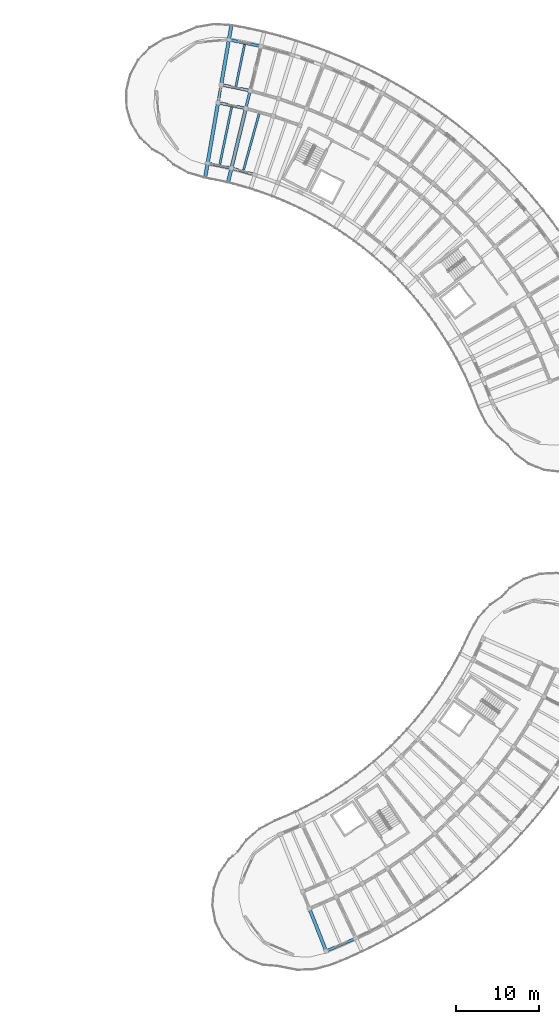
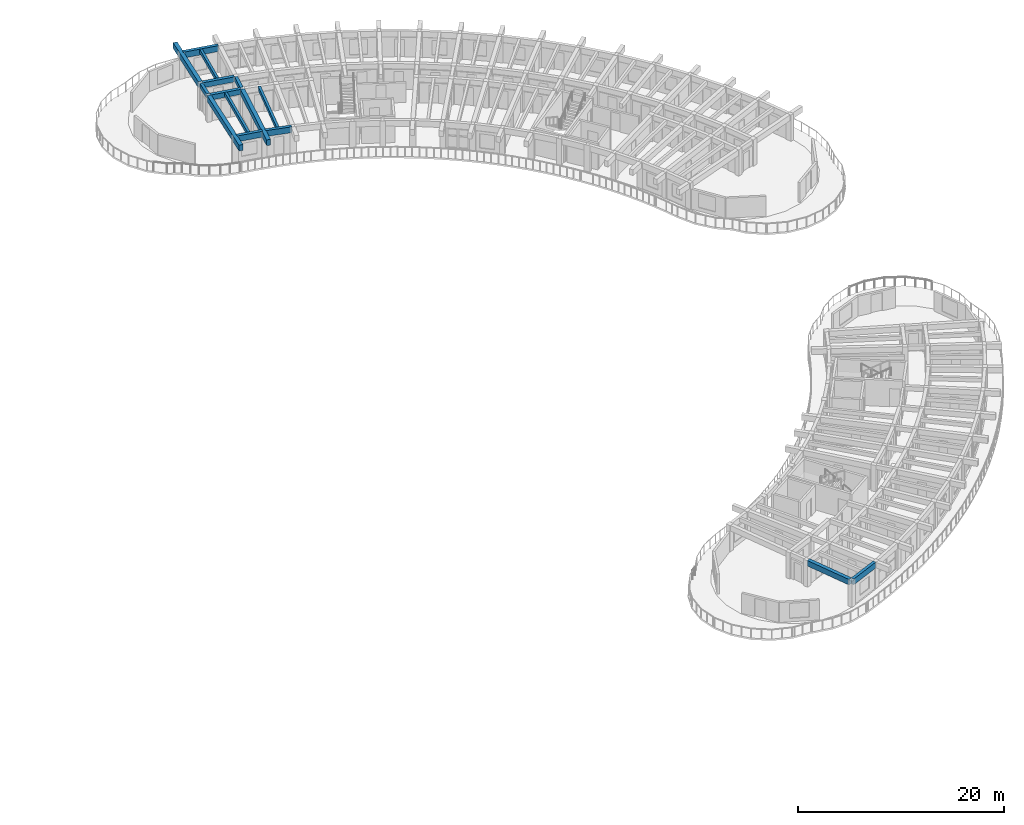
# One storey, part 19 of 83: 15 beams.
"""IFC4 building model written with IfcOpenShell, lengths in metres."""

from ifc_helpers import new_model, si_unit, direction, frame, origin, origin_2d, place, context, subcontext, project, spatial, rectangle, extrude, material, material_profile, profile_set, type_object, element, save


model = new_model("IFC4")

# Units and contexts
model_context = context("Model", 3, precision=1e-05, world=origin(), true_north=direction((0.0, 1.0)))
body_context = subcontext(model_context, "Body", "Model", "MODEL_VIEW")
ifc_project = project(units=[si_unit("LENGTHUNIT", "METRE"), si_unit("AREAUNIT", "SQUARE_METRE"), si_unit("VOLUMEUNIT", "CUBIC_METRE"), si_unit("PLANEANGLEUNIT", "RADIAN"), si_unit("MASSUNIT", "GRAM", prefix="KILO")], contexts=[model_context])

# Site, building, storey
site_placement = place(None, origin())
site = spatial("IfcSite", under=ifc_project, at=site_placement, CompositionType="ELEMENT")
building_placement = place(site_placement, origin())
building = spatial("IfcBuilding", under=site, at=building_placement, Name="Tanwirah Colonnade Gardens", CompositionType="ELEMENT")
storey_placement = place(building_placement, frame((0.0, 0.0, 25.639892578125)))
storey = spatial("IfcBuildingStorey", under=building, at=storey_placement, Name="L07", CompositionType="ELEMENT", Elevation=25.639892578125)

# Beams
ifc_material_1 = material(Name="Precast concrete C40/50", Category="concrete")
ifc_material_profile_1 = material_profile(ifc_material_1, rectangle(XDim=0.320068359375, YDim=0.52001953125, at=origin_2d()), Name="PC-BM 320x520")
ifc_profile_set_1 = profile_set([ifc_material_profile_1], Name="Precast concrete C40/50")
beam_type_1 = type_object("IfcBeamType", Name="BM-PC320", PredefinedType="BEAM", material=ifc_profile_set_1)
for number, where, z_axis, x_axis, name in (
    (1, (133.188232421875, 110.75146484375, 2.85009765625), (0.234364199778, 0.972148868159, 0.0), (-0.972148868159, 0.234364199778, 0.0), "Block B L07 Corridor Tie Beam 16"),
    (2, (129.8310546875, 111.444580078125, 2.85009765625), (0.169855285462, 0.985469016256, 0.0), (-0.985469016256, 0.169855285462, 0.0), "Block B L07 Corridor Tie Beam 17"),
):
    element("IfcBeam", number, at=place(storey_placement, frame(where, z_axis=z_axis, x_axis=x_axis)), inside=storey, type_object=beam_type_1, Name=name, PredefinedType="BEAM", context=body_context, shape_type="SweptSolid", body=[
        extrude(rectangle(XDim=0.320068359375, YDim=0.52001953125, at=origin_2d()), origin(), (0.0, 0.0, 1.0), 1.900146484375),
    ])
ifc_material_profile_2 = material_profile(ifc_material_1, rectangle(XDim=0.35009765625, YDim=0.60009765625, at=origin_2d()), Name="PC-BM 350x600")
ifc_profile_set_2 = profile_set([ifc_material_profile_2], Name="Precast concrete C40/50")
beam_type_2 = type_object("IfcBeamType", Name="BM-PC350B", PredefinedType="BEAM", material=ifc_profile_set_2)
beam_1_placement = place(storey_placement, frame((133.006103515625, 110.635986328125, 2.81005859375), z_axis=(-0.979335880607, 0.202240532428, 0.0), x_axis=(-0.202240532428, -0.979335880607, 0.0)))
element("IfcBeam", 3, at=beam_1_placement, inside=storey, type_object=beam_type_2, Name="Block B L07 Circumferential Beam 16-R1", PredefinedType="BEAM", context=body_context, shape_type="SweptSolid", body=[
    extrude(rectangle(XDim=0.35009765625, YDim=0.60009765625, at=origin_2d()), origin(), (0.0, 0.0, 1.0), 3.1181640625),
])
beam_2_placement = place(storey_placement, frame((133.521728515625, 112.774658203125, 2.81005859375), z_axis=(-0.979335599813, 0.202241892146, 0.0), x_axis=(-0.202241892146, -0.979335599813, 0.0)))
element("IfcBeam", 4, at=beam_2_placement, inside=storey, type_object=beam_type_2, Name="Block B L07 Circumferential Beam 16-R2", PredefinedType="BEAM", context=body_context, shape_type="SweptSolid", body=[
    extrude(rectangle(XDim=0.35009765625, YDim=0.60009765625, at=origin_2d()), origin(), (0.0, 0.0, 1.0), 3.262939453125),
])
ifc_material_2 = material(Name="Precast concrete C45/55", Category="concrete")
ifc_material_profile_3 = material_profile(ifc_material_2, rectangle(XDim=0.39990234375, YDim=0.64990234375, at=origin_2d()), Name="PC-BM 400x650")
ifc_profile_set_3 = profile_set([ifc_material_profile_3], Name="Precast concrete C45/55")
beam_type_3 = type_object("IfcBeamType", Name="BM-PC400", PredefinedType="BEAM", material=ifc_profile_set_3)
beam_3_placement = place(storey_placement, frame((140.8642578125, 14.0712890625, 2.78515625), z_axis=(0.366536834267, -0.930403541011, 0.0), x_axis=(0.930403541011, 0.366536834267, 0.0)))
element("IfcBeam", 5, at=beam_3_placement, inside=storey, type_object=beam_type_3, Name="Block D L07 Outer Radial Precast Girder 2", PredefinedType="BEAM", context=body_context, shape_type="SweptSolid", body=[
    extrude(rectangle(XDim=0.39990234375, YDim=0.64990234375, at=origin_2d()), origin(), (0.0, 0.0, 1.0), 5.199951171875),
])
ifc_material_profile_4 = material_profile(ifc_material_2, rectangle(XDim=0.419921875, YDim=0.679931640625, at=origin_2d()), Name="PC-BM 420x680")
ifc_profile_set_4 = profile_set([ifc_material_profile_4], Name="Precast concrete C45/55")
beam_type_4 = type_object("IfcBeamType", Name="BM-PC420", PredefinedType="BEAM", material=ifc_profile_set_4)
for number, where, z_axis, x_axis, name in (
    (6, (133.117919921875, 110.459716796875, 2.77001953125), (-0.234401428133, -0.972139892448, 0.0), (0.972139892448, -0.234401428133, 0.0), "Block B L07 Inner Radial Precast Girder 16"),
    (7, (129.780029296875, 111.14892578125, 2.77001953125), (-0.169837490725, -0.985472083189, 0.0), (0.985472083189, -0.169837490725, 0.0), "Block B L07 Inner Radial Precast Girder 17"),
):
    element("IfcBeam", number, at=place(storey_placement, frame(where, z_axis=z_axis, x_axis=x_axis)), inside=storey, type_object=beam_type_4, Name=name, PredefinedType="BEAM", context=body_context, shape_type="SweptSolid", body=[
        extrude(rectangle(XDim=0.419921875, YDim=0.679931640625, at=origin_2d()), origin(), (0.0, 0.0, 1.0), 8.949951171875),
    ])
beam_4_placement = place(storey_placement, frame((130.20458984375, 113.61279296875, 2.77001953125), z_axis=(0.169826898404, 0.985473908624, 0.0), x_axis=(-0.985473908624, 0.169826898404, 0.0)))
element("IfcBeam", 8, at=beam_4_placement, inside=storey, type_object=beam_type_4, Name="Block B L07 Outer Radial Precast Girder 17", PredefinedType="BEAM", context=body_context, shape_type="SweptSolid", body=[
    extrude(rectangle(XDim=0.419921875, YDim=0.679931640625, at=origin_2d()), origin(), (0.0, 0.0, 1.0), 7.0498046875),
])
ifc_material_profile_5 = material_profile(ifc_material_1, rectangle(XDim=0.260009765625, YDim=0.4599609375, at=origin_2d()), Name="PC-JST 260x460")
ifc_profile_set_5 = profile_set([ifc_material_profile_5], Name="Precast concrete C40/50")
beam_type_5 = type_object("IfcBeamType", Name="JST-PC260", PredefinedType="JOIST", material=ifc_profile_set_5)
beam_5_placement = place(storey_placement, frame((132.869140625, 103.16064453125, 2.880126953125), z_axis=(0.266307034535, 0.963888252526, 0.0), x_axis=(-0.963888252526, 0.266307034535, 0.0)))
element("IfcBeam", 9, at=beam_5_placement, inside=storey, type_object=beam_type_5, Name="Block B L07 Inner Precast Floor Joist 15", PredefinedType="JOIST", context=body_context, shape_type="SweptSolid", body=[
    extrude(rectangle(XDim=0.260009765625, YDim=0.4599609375, at=origin_2d()), origin(), (0.0, 0.0, 1.0), 7.159912109375),
])
beam_6_placement = place(storey_placement, frame((131.9541015625, 113.2509765625, 2.880126953125), z_axis=(0.202235688429, 0.979336880918, 0.0), x_axis=(-0.979336880918, 0.202235688429, 0.0)))
element("IfcBeam", 10, at=beam_6_placement, inside=storey, type_object=beam_type_5, Name="Block B L07 Precast Floor Joist 16", PredefinedType="JOIST", context=body_context, shape_type="SweptSolid", body=[
    extrude(rectangle(XDim=0.260009765625, YDim=0.4599609375, at=origin_2d()), origin(), (0.0, 0.0, 1.0), 5.259765625),
])
beam_7_placement = place(storey_placement, frame((130.012939453125, 103.84912109375, 2.880126953125), z_axis=(0.202197428816, 0.979344780851, 0.0), x_axis=(-0.979344780851, 0.202197428816, 0.0)))
element("IfcBeam", 11, at=beam_7_placement, inside=storey, type_object=beam_type_5, Name="Block B L07 Inner Precast Floor Joist 16", PredefinedType="JOIST", context=body_context, shape_type="SweptSolid", body=[
    extrude(rectangle(XDim=0.260009765625, YDim=0.4599609375, at=origin_2d()), origin(), (0.0, 0.0, 1.0), 7.16015625),
])
ifc_material_profile_6 = material_profile(ifc_material_1, rectangle(XDim=0.324951171875, YDim=0.68505859375, at=origin_2d()), Name="PC-SP 325x685")
ifc_profile_set_6 = profile_set([ifc_material_profile_6], Name="Precast concrete C40/50")
beam_type_6 = type_object("IfcBeamType", Name="SP-PC260", PredefinedType="SPANDREL", material=ifc_profile_set_6)
beam_8_placement = place(storey_placement, frame((142.962890625, 9.153076171875, 2.767578125), z_axis=(0.917925861765, 0.396751953118, 0.0), x_axis=(-0.396751953118, 0.917925861765, 0.0)))
element("IfcBeam", 12, at=beam_8_placement, inside=storey, type_object=beam_type_6, Name="Block D L07 Circumferential Beam 2-R3", PredefinedType="SPANDREL", context=body_context, shape_type="SweptSolid", body=[
    extrude(rectangle(XDim=0.324951171875, YDim=0.68505859375, at=origin_2d()), origin(), (0.0, 0.0, 1.0), 3.5966796875),
])
ifc_material_profile_7 = material_profile(ifc_material_1, rectangle(XDim=0.3349609375, YDim=0.695068359375, at=origin_2d()), Name="PC-SP 335x695")
ifc_profile_set_7 = profile_set([ifc_material_profile_7], Name="Precast concrete C40/50")
beam_type_7 = type_object("IfcBeamType", Name="SP-PC300", PredefinedType="SPANDREL", material=ifc_profile_set_7)
for number, where, z_axis, x_axis, name in (
    (13, (134.098388671875, 102.67138671875, 2.7626953125), (-0.96388669146, 0.266312684688, 0.0), (-0.266312684688, -0.96388669146, 0.0), "Block B L07 Circumferential Beam 15-R0"),
    (14, (131.271728515625, 103.442138671875, 2.7626953125), (-0.979351764611, 0.202163599974, 0.0), (-0.202163599974, -0.979351764611, 0.0), "Block B L07 Circumferential Beam 16-R0"),
):
    element("IfcBeam", number, at=place(storey_placement, frame(where, z_axis=z_axis, x_axis=x_axis)), inside=storey, type_object=beam_type_7, Name=name, PredefinedType="SPANDREL", context=body_context, shape_type="SweptSolid", body=[
        extrude(rectangle(XDim=0.3349609375, YDim=0.695068359375, at=origin_2d()), origin(), (0.0, 0.0, 1.0), 2.630126953125),
    ])
beam_9_placement = place(storey_placement, frame((134.810791015625, 118.121337890625, 2.7626953125), z_axis=(-0.979328544205, 0.202276055197, 0.0), x_axis=(-0.202276055197, -0.979328544205, 0.0)))
element("IfcBeam", 15, at=beam_9_placement, inside=storey, type_object=beam_type_7, Name="Block B L07 Circumferential Beam 16-R3", PredefinedType="SPANDREL", context=body_context, shape_type="SweptSolid", body=[
    extrude(rectangle(XDim=0.3349609375, YDim=0.695068359375, at=origin_2d()), origin(), (0.0, 0.0, 1.0), 3.625732421875),
])

save(model, "model.ifc")
